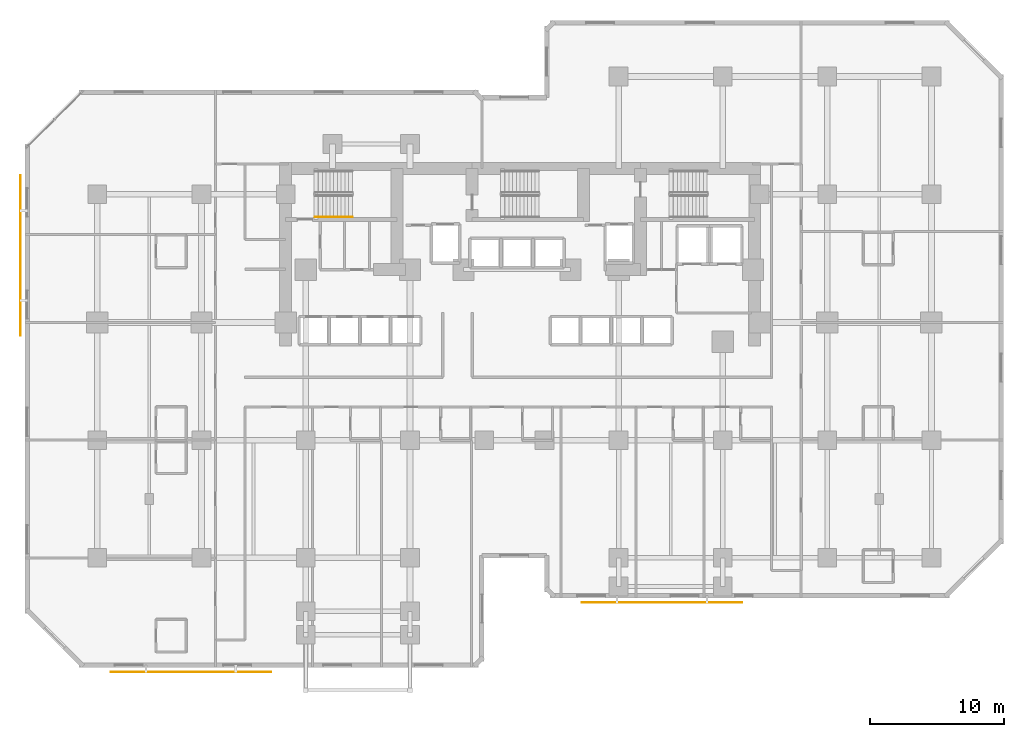
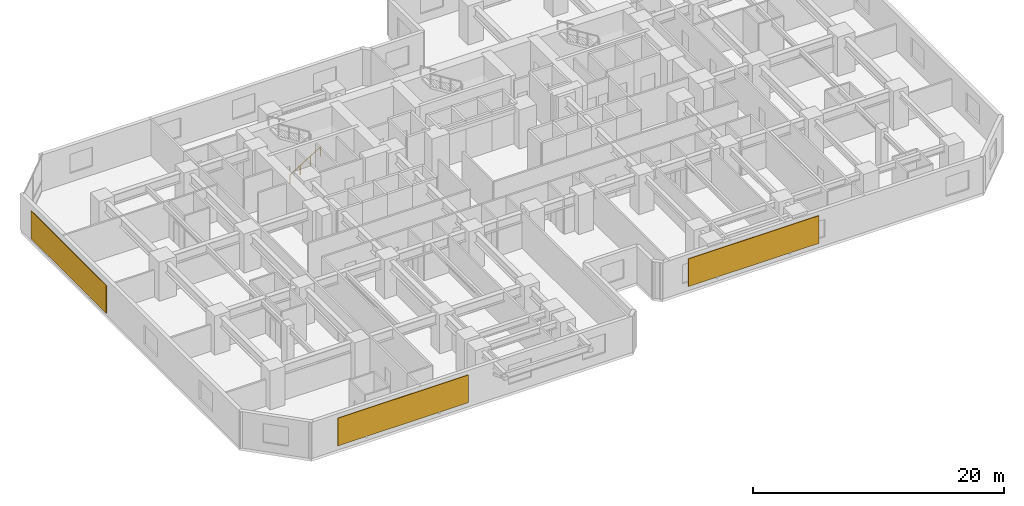
# One storey, part 11 of 12: 3 shading devices, 1 railing.
"""IFC4 building model written with IfcOpenShell, lengths in metres."""

from ifc_helpers import new_model, si_unit, direction, frame, origin, origin_2d, place, context, subcontext, project, spatial, rectangle, circle, extrude, material, layer, layer_set, type_object, element, save


model = new_model("IFC4")

# Units and contexts
model_context = context("Model", 3, precision=1e-05, world=origin(), true_north=direction((0.0, 1.0)))
body_context = subcontext(model_context, "Body", "Model", "MODEL_VIEW")
ifc_project = project(units=[si_unit("LENGTHUNIT", "METRE"), si_unit("AREAUNIT", "SQUARE_METRE"), si_unit("VOLUMEUNIT", "CUBIC_METRE"), si_unit("PLANEANGLEUNIT", "RADIAN"), si_unit("MASSUNIT", "GRAM", prefix="KILO")], contexts=[model_context])

# Site, building, storey
site_placement = place(None, origin())
site = spatial("IfcSite", under=ifc_project, at=site_placement, CompositionType="ELEMENT")
building_placement = place(site_placement, origin())
building = spatial("IfcBuilding", under=site, at=building_placement, Name="Kestravale Grand Hotel", CompositionType="ELEMENT")
storey_placement = place(building_placement, frame((0.0, 0.0, 26.0)))
storey = spatial("IfcBuildingStorey", under=building, at=storey_placement, Name="L05", CompositionType="ELEMENT", Elevation=26.0)

# Railing
ifc_material_1 = material(Name="Brushed stainless steel wall handrail", Category="steel")
railing_type = type_object("IfcRailingType", Name="RL-ST-HND900", PredefinedType="HANDRAIL", material=ifc_material_1)
railing_placement = place(storey_placement, frame((24.080078125, 36.699951171875, 0.172607421875)))
element("IfcRailing", 1, at=railing_placement, inside=storey, type_object=railing_type, Name="L05 ST-1 stair handrail 1", PredefinedType="HANDRAIL", context=body_context, shape_type="SweptSolid", body=[
    extrude(circle(Radius=0.02392578125, at=origin_2d()), frame((0.0, 0.0, 0.8759765625), z_axis=(0.851069175582, 0.0, 0.525053576669), x_axis=(0.0, 1.0, 0.0)), (0.0, 0.0, 1.0), 3.289794921875),
    extrude(circle(Radius=0.02099609375, at=origin_2d()), origin(), (0.0, 0.0, 1.0), 0.851806640625),
    extrude(circle(Radius=0.02099609375, at=origin_2d()), frame((0.933349609375, 0.0, 0.57568359375)), (0.0, 0.0, 1.0), 0.851806640625),
    extrude(circle(Radius=0.02099609375, at=origin_2d()), frame((1.866455078125, 0.0, 1.151611328125)), (0.0, 0.0, 1.0), 0.851806640625),
    extrude(circle(Radius=0.02099609375, at=origin_2d()), frame((2.7998046875, 0.0, 1.727294921875)), (0.0, 0.0, 1.0), 0.851806640625),
])

# Shading devices
ifc_material_2 = material(Name="Perforated champagne-bronze aluminium and ceramic solar screen", Category="aluminium")
ifc_layer = layer(ifc_material_2, 0.06494140625)
ifc_layer_set = layer_set([ifc_layer], Name="SHD-SCR-CHEV")
shading_device_type = type_object("IfcShadingDeviceType", Name="SHD-SCR-CHEV", PredefinedType="USERDEFINED", material=ifc_layer_set)
for number, where, z_axis, x_axis, name in (
    (2, (14.800048828125, 2.659912109375, 0.699951171875), (0.0, 0.0, 1.0), (1.0, 0.0, 0.0), "L05 Perforated bronze ceramic chevron solar screen SCR-L05-01"),
    (3, (50.050048828125, 7.860107421875, 0.699951171875), (0.0, 0.0, 1.0), (1.0, 0.0, 0.0), "L05 Perforated bronze ceramic chevron solar screen SCR-L05-07"),
    (4, (2.06005859375, 33.800048828125, 0.699951171875), (0.0, 0.0, 1.0), (0.0, -1.0, 0.0), "L05 Perforated bronze ceramic chevron solar screen SCR-L05-19"),
):
    element("IfcShadingDevice", number, at=place(storey_placement, frame(where, z_axis=z_axis, x_axis=x_axis)), inside=storey, type_object=shading_device_type, Name=name, ObjectType="SCREEN", PredefinedType="USERDEFINED", context=body_context, shape_type="SweptSolid", body=[
        extrude(rectangle(XDim=12.0, YDim=0.06494140625, at=origin_2d()), origin(), (0.0, 0.0, 1.0), 2.68994140625),
    ])

save(model, "model.ifc")
